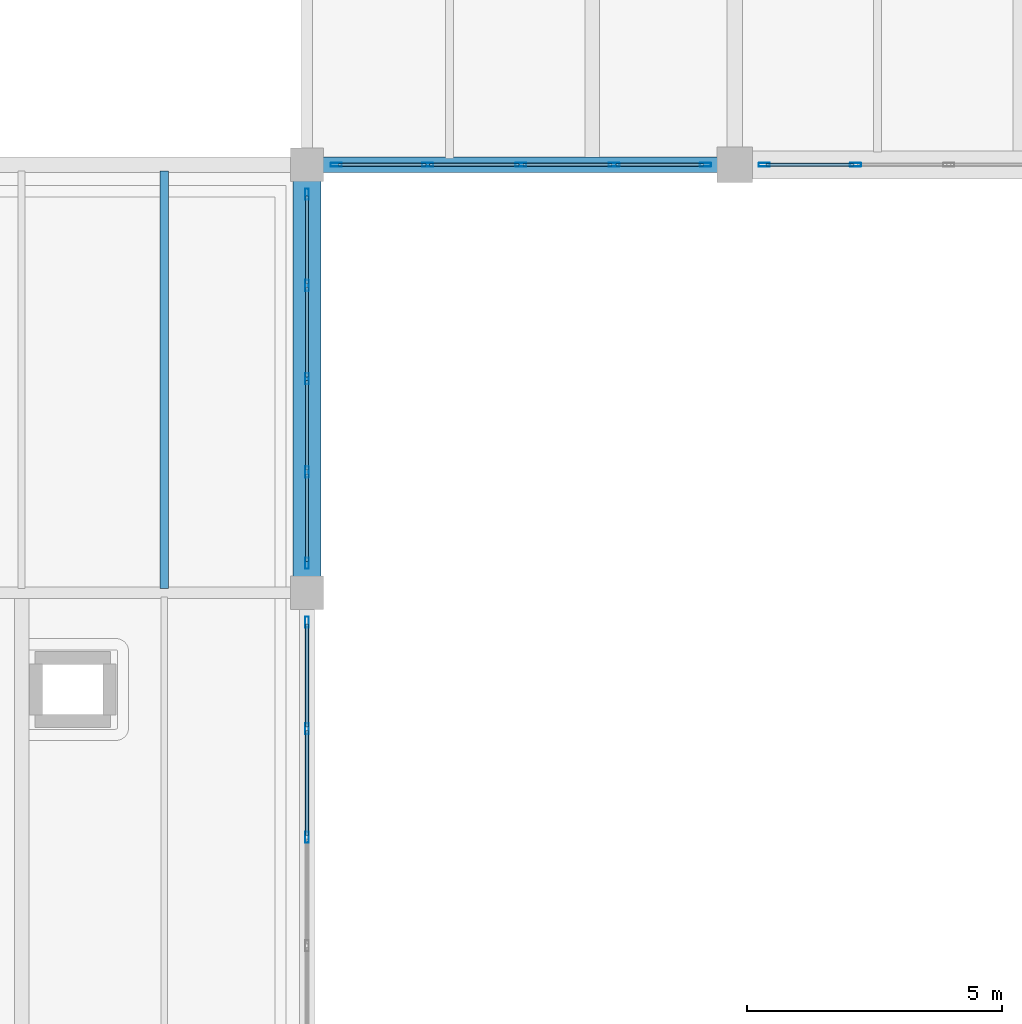
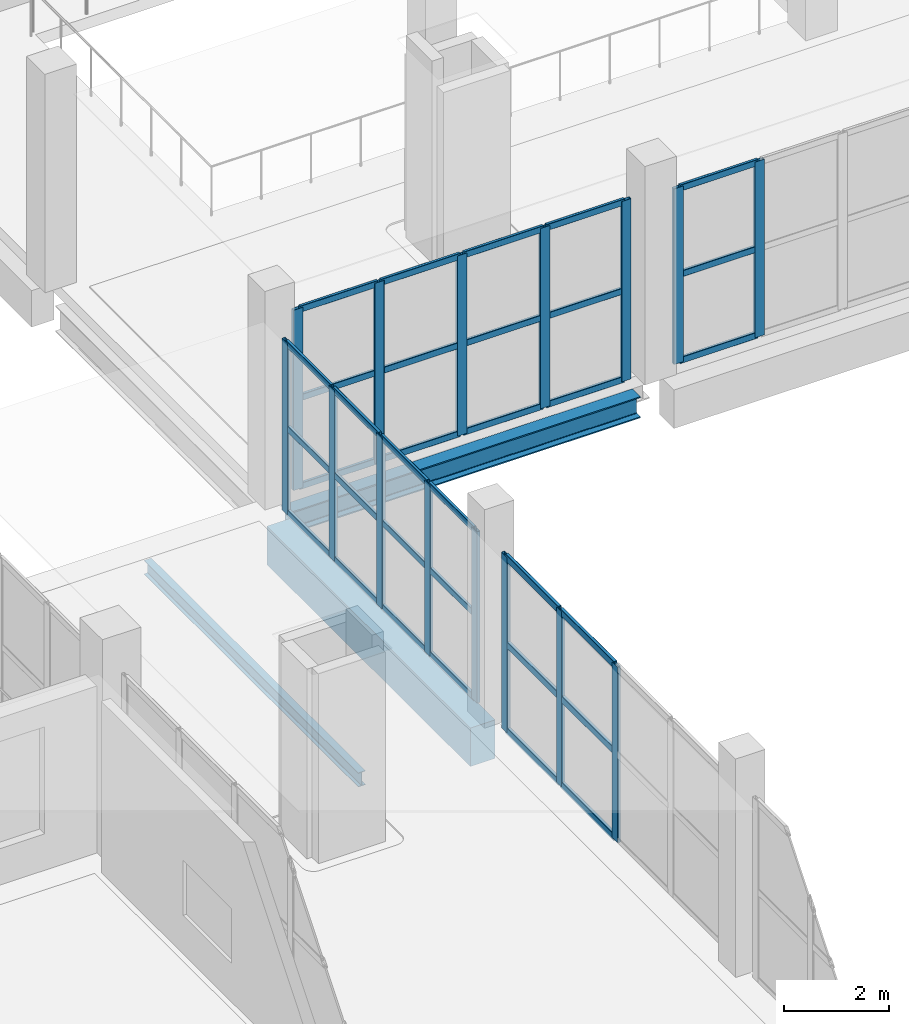
# One storey, part 27 of 73: 48 members, 3 beams, 4 elements without a shape of their own.
"""IFC4 building model written with IfcOpenShell, lengths in metres."""

from ifc_helpers import new_model, si_unit, direction, frame, origin, origin_2d, place, context, subcontext, project, spatial, rectangle, hollow_rectangle, i_section, extrude, material, layer, layer_set, material_profile, profile_set, type_object, element, aggregate, save


model = new_model("IFC4")

# Units and contexts
model_context = context("Model", 3, precision=1e-05, world=origin(), true_north=direction((0.0, 1.0)))
body_context = subcontext(model_context, "Body", "Model", "MODEL_VIEW")
ifc_project = project(units=[si_unit("LENGTHUNIT", "METRE"), si_unit("AREAUNIT", "SQUARE_METRE"), si_unit("VOLUMEUNIT", "CUBIC_METRE"), si_unit("PLANEANGLEUNIT", "RADIAN"), si_unit("MASSUNIT", "GRAM", prefix="KILO")], contexts=[model_context])

# Site, building, storey
site_placement = place(None, origin())
site = spatial("IfcSite", under=ifc_project, at=site_placement, CompositionType="ELEMENT")
building_placement = place(site_placement, origin())
building = spatial("IfcBuilding", under=site, at=building_placement, Name="Zulmaris Art Gallery", CompositionType="ELEMENT")
storey_placement = place(building_placement, frame((0.0, 0.0, 10.5)))
storey = spatial("IfcBuildingStorey", under=building, at=storey_placement, Name="L02", CompositionType="ELEMENT", Elevation=10.5)

# Beams
ifc_material_1 = material(Name="Steel S355J2", Category="steel")
ifc_material_profile_1 = material_profile(ifc_material_1, i_section(OverallWidth=0.300048828125, OverallDepth=0.5, WebThickness=0.014404296875, FlangeThickness=0.028076171875, FilletRadius=0.027099609375, at=origin_2d()), Name="HEB 500")
ifc_profile_set_1 = profile_set([ifc_material_profile_1], Name="Steel S355J2")
beam_type_1 = type_object("IfcBeamType", Name="BEAM-BM14", PredefinedType="BEAM", material=ifc_profile_set_1)
beam_1_placement = place(storey_placement, frame((91.510009765625, 58.800048828125, -0.64501953125), z_axis=(1.0, 0.0, 0.0), x_axis=(0.0, 1.0, 0.0)))
element("IfcBeam", 1, at=beam_1_placement, inside=storey, type_object=beam_type_1, Name="L02 X-girder (91.2..99.6, y=58.8)", PredefinedType="BEAM", context=body_context, shape_type="SweptSolid", body=[
    extrude(i_section(OverallWidth=0.300048828125, OverallDepth=0.5, WebThickness=0.014404296875, FlangeThickness=0.028076171875, FilletRadius=0.027099609375, at=origin_2d()), origin(), (0.0, 0.0, 1.0), 7.7548828125),
])
ifc_material_2 = material(Name="Concrete C40/50", Category="concrete")
ifc_material_profile_2 = material_profile(ifc_material_2, rectangle(XDim=0.550048828125, YDim=0.89990234375, at=origin_2d()), Name="RC 550x900")
ifc_profile_set_2 = profile_set([ifc_material_profile_2], Name="Concrete C40/50")
beam_type_2 = type_object("IfcBeamType", Name="BEAM-BM21", PredefinedType="BEAM", material=ifc_profile_set_2)
beam_2_placement = place(storey_placement, frame((91.199951171875, 50.7099609375, -0.85009765625), z_axis=(0.0, 1.0, 0.0), x_axis=(-1.0, 0.0, 0.0)))
element("IfcBeam", 2, at=beam_2_placement, inside=storey, type_object=beam_type_2, Name="L02 Y-girder (x=91.2, 50.4..58.8)", PredefinedType="BEAM", context=body_context, shape_type="SweptSolid", body=[
    extrude(rectangle(XDim=0.550048828125, YDim=0.89990234375, at=origin_2d()), origin(), (0.0, 0.0, 1.0), 7.780029296875),
])
ifc_material_profile_3 = material_profile(ifc_material_1, i_section(OverallWidth=0.159912109375, OverallDepth=0.330078125, WebThickness=0.007568359375, FlangeThickness=0.011474609375, FilletRadius=0.01806640625, at=origin_2d()), Name="IPE 330")
ifc_profile_set_3 = profile_set([ifc_material_profile_3], Name="Steel S355J2")
beam_type_3 = type_object("IfcBeamType", Name="BEAM-JS03", PredefinedType="JOIST", material=ifc_profile_set_3)
beam_3_placement = place(storey_placement, frame((88.39990234375, 50.485107421875, -0.56494140625), z_axis=(0.0, 1.0, 0.0), x_axis=(-1.0, 0.0, 0.0)))
element("IfcBeam", 3, at=beam_3_placement, inside=storey, type_object=beam_type_3, Name="L02 secondary joist at x=88.4", PredefinedType="JOIST", context=body_context, shape_type="SweptSolid", body=[
    extrude(i_section(OverallWidth=0.159912109375, OverallDepth=0.330078125, WebThickness=0.007568359375, FlangeThickness=0.011474609375, FilletRadius=0.01806640625, at=origin_2d()), origin(), (0.0, 0.0, 1.0), 8.18994140625),
])

# Curtain wall, members
ifc_material_3 = material(Name="Cloister & Court Glazed Curtain Wall", Category="aluminium")
ifc_layer_1 = layer(ifc_material_3, 0.179931640625)
ifc_layer_set_1 = layer_set([ifc_layer_1], Name="Cloister & Court Glazed Curtain Wall")
curtain_wall_type_1 = type_object("IfcCurtainWallType", Name="CW-CW03", PredefinedType="NOTDEFINED", material=ifc_layer_set_1)
curtain_wall_1_placement = place(storey_placement, origin())
curtain_wall_1 = element("IfcCurtainWall", 4, at=curtain_wall_1_placement, inside=storey, type_object=curtain_wall_type_1, Name="L02 curtain wall 82", PredefinedType="NOTDEFINED")
ifc_material_4 = material(Name="Anodised Bronze Aluminium", Category="aluminium")
ifc_material_profile_4 = material_profile(ifc_material_4, hollow_rectangle(XDim=0.074951171875, YDim=0.219970703125, WallThickness=0.0048828125, InnerFilletRadius=0.007568359375, OuterFilletRadius=0.012451171875, at=origin_2d()), Name="ALU 75x220x5")
ifc_profile_set_4 = profile_set([ifc_material_profile_4], Name="Anodised Bronze Aluminium")
member_type_1 = type_object("IfcMemberType", Name="CWMUL-02", PredefinedType="MULLION", material=ifc_profile_set_4)
member_1_placement = place(storey_placement, frame((91.199951171875, 49.822509765625, 0.0), z_axis=(0.0, 0.0, 1.0), x_axis=(1.0, 0.0, 0.0)))
member_1 = element("IfcMember", 5, at=member_1_placement, type_object=member_type_1, Name="CW03 mullion 1", PredefinedType="MULLION", context=body_context, shape_type="SweptSolid", body=[
    extrude(hollow_rectangle(XDim=0.074951171875, YDim=0.219970703125, WallThickness=0.0048828125, InnerFilletRadius=0.007568359375, OuterFilletRadius=0.012451171875, at=origin_2d()), origin(), (0.0, 0.0, 1.0), 4.10009765625),
])
member_2_placement = place(storey_placement, frame((91.199951171875, 47.72998046875, 0.0), z_axis=(0.0, 0.0, 1.0), x_axis=(1.0, 0.0, 0.0)))
member_2 = element("IfcMember", 6, at=member_2_placement, type_object=member_type_1, Name="CW03 mullion 2", PredefinedType="MULLION", context=body_context, shape_type="SweptSolid", body=[
    extrude(hollow_rectangle(XDim=0.074951171875, YDim=0.219970703125, WallThickness=0.0048828125, InnerFilletRadius=0.007568359375, OuterFilletRadius=0.012451171875, at=origin_2d()), origin(), (0.0, 0.0, 1.0), 4.10009765625),
])
member_3_placement = place(storey_placement, frame((91.199951171875, 45.60009765625, 0.0), z_axis=(0.0, 0.0, 1.0), x_axis=(1.0, 0.0, 0.0)))
member_3 = element("IfcMember", 7, at=member_3_placement, type_object=member_type_1, Name="CW03 mullion 3", PredefinedType="MULLION", context=body_context, shape_type="SweptSolid", body=[
    extrude(hollow_rectangle(XDim=0.074951171875, YDim=0.219970703125, WallThickness=0.0048828125, InnerFilletRadius=0.007568359375, OuterFilletRadius=0.012451171875, at=origin_2d()), origin(), (0.0, 0.0, 1.0), 4.10009765625),
])

curtain_wall_2_placement = place(storey_placement, origin())
curtain_wall_2 = element("IfcCurtainWall", 8, at=curtain_wall_2_placement, inside=storey, type_object=curtain_wall_type_1, Name="L02 curtain wall 84", PredefinedType="NOTDEFINED")
member_4_placement = place(storey_placement, frame((91.199951171875, 58.222412109375, 0.0), z_axis=(0.0, 0.0, 1.0), x_axis=(1.0, 0.0, 0.0)))
member_4 = element("IfcMember", 9, at=member_4_placement, type_object=member_type_1, Name="CW03 mullion 1", PredefinedType="MULLION", context=body_context, shape_type="SweptSolid", body=[
    extrude(hollow_rectangle(XDim=0.074951171875, YDim=0.219970703125, WallThickness=0.0048828125, InnerFilletRadius=0.007568359375, OuterFilletRadius=0.012451171875, at=origin_2d()), origin(), (0.0, 0.0, 1.0), 4.0),
])
member_5_placement = place(storey_placement, frame((91.199951171875, 56.429931640625, 0.0), z_axis=(0.0, 0.0, 1.0), x_axis=(1.0, 0.0, 0.0)))
member_5 = element("IfcMember", 10, at=member_5_placement, type_object=member_type_1, Name="CW03 mullion 2", PredefinedType="MULLION", context=body_context, shape_type="SweptSolid", body=[
    extrude(hollow_rectangle(XDim=0.074951171875, YDim=0.219970703125, WallThickness=0.0048828125, InnerFilletRadius=0.007568359375, OuterFilletRadius=0.012451171875, at=origin_2d()), origin(), (0.0, 0.0, 1.0), 4.0),
])
member_6_placement = place(storey_placement, frame((91.199951171875, 54.60009765625, 0.0), z_axis=(0.0, 0.0, 1.0), x_axis=(1.0, 0.0, 0.0)))
member_6 = element("IfcMember", 11, at=member_6_placement, type_object=member_type_1, Name="CW03 mullion 3", PredefinedType="MULLION", context=body_context, shape_type="SweptSolid", body=[
    extrude(hollow_rectangle(XDim=0.074951171875, YDim=0.219970703125, WallThickness=0.0048828125, InnerFilletRadius=0.007568359375, OuterFilletRadius=0.012451171875, at=origin_2d()), origin(), (0.0, 0.0, 1.0), 4.0),
])
member_7_placement = place(storey_placement, frame((91.199951171875, 52.77001953125, 0.0), z_axis=(0.0, 0.0, 1.0), x_axis=(1.0, 0.0, 0.0)))
member_7 = element("IfcMember", 12, at=member_7_placement, type_object=member_type_1, Name="CW03 mullion 4", PredefinedType="MULLION", context=body_context, shape_type="SweptSolid", body=[
    extrude(hollow_rectangle(XDim=0.074951171875, YDim=0.219970703125, WallThickness=0.0048828125, InnerFilletRadius=0.007568359375, OuterFilletRadius=0.012451171875, at=origin_2d()), origin(), (0.0, 0.0, 1.0), 4.0),
])
member_8_placement = place(storey_placement, frame((91.199951171875, 50.9775390625, 0.0), z_axis=(0.0, 0.0, 1.0), x_axis=(1.0, 0.0, 0.0)))
member_8 = element("IfcMember", 13, at=member_8_placement, type_object=member_type_1, Name="CW03 mullion 5", PredefinedType="MULLION", context=body_context, shape_type="SweptSolid", body=[
    extrude(hollow_rectangle(XDim=0.074951171875, YDim=0.219970703125, WallThickness=0.0048828125, InnerFilletRadius=0.007568359375, OuterFilletRadius=0.012451171875, at=origin_2d()), origin(), (0.0, 0.0, 1.0), 4.0),
])

ifc_material_5 = material(Name="Unitised Low-E Gallery Curtain Wall", Category="aluminium")
ifc_layer_2 = layer(ifc_material_5, 0.179931640625)
ifc_layer_set_2 = layer_set([ifc_layer_2], Name="Unitised Low-E Gallery Curtain Wall")
curtain_wall_type_2 = type_object("IfcCurtainWallType", Name="CW-CW01", PredefinedType="NOTDEFINED", material=ifc_layer_set_2)
curtain_wall_3_placement = place(storey_placement, origin())
curtain_wall_3 = element("IfcCurtainWall", 14, at=curtain_wall_3_placement, inside=storey, type_object=curtain_wall_type_2, Name="L02 curtain wall 104", PredefinedType="NOTDEFINED")
member_9_placement = place(storey_placement, frame((91.777587890625, 58.800048828125, 0.0), z_axis=(0.0, 0.0, 1.0), x_axis=(0.0, 1.0, 0.0)))
member_9 = element("IfcMember", 15, at=member_9_placement, type_object=member_type_1, Name="CW01 mullion 1", PredefinedType="MULLION", context=body_context, shape_type="SweptSolid", body=[
    extrude(hollow_rectangle(XDim=0.074951171875, YDim=0.219970703125, WallThickness=0.0048828125, InnerFilletRadius=0.007568359375, OuterFilletRadius=0.012451171875, at=origin_2d()), origin(), (0.0, 0.0, 1.0), 4.2099609375),
])
member_10_placement = place(storey_placement, frame((93.570068359375, 58.800048828125, 0.0), z_axis=(0.0, 0.0, 1.0), x_axis=(0.0, 1.0, 0.0)))
member_10 = element("IfcMember", 16, at=member_10_placement, type_object=member_type_1, Name="CW01 mullion 2", PredefinedType="MULLION", context=body_context, shape_type="SweptSolid", body=[
    extrude(hollow_rectangle(XDim=0.074951171875, YDim=0.219970703125, WallThickness=0.0048828125, InnerFilletRadius=0.007568359375, OuterFilletRadius=0.012451171875, at=origin_2d()), origin(), (0.0, 0.0, 1.0), 4.2099609375),
])
member_11_placement = place(storey_placement, frame((95.39990234375, 58.800048828125, 0.0), z_axis=(0.0, 0.0, 1.0), x_axis=(0.0, 1.0, 0.0)))
member_11 = element("IfcMember", 17, at=member_11_placement, type_object=member_type_1, Name="CW01 mullion 3", PredefinedType="MULLION", context=body_context, shape_type="SweptSolid", body=[
    extrude(hollow_rectangle(XDim=0.074951171875, YDim=0.219970703125, WallThickness=0.0048828125, InnerFilletRadius=0.007568359375, OuterFilletRadius=0.012451171875, at=origin_2d()), origin(), (0.0, 0.0, 1.0), 4.2099609375),
])
member_12_placement = place(storey_placement, frame((97.22998046875, 58.800048828125, 0.0), z_axis=(0.0, 0.0, 1.0), x_axis=(0.0, 1.0, 0.0)))
member_12 = element("IfcMember", 18, at=member_12_placement, type_object=member_type_1, Name="CW01 mullion 4", PredefinedType="MULLION", context=body_context, shape_type="SweptSolid", body=[
    extrude(hollow_rectangle(XDim=0.074951171875, YDim=0.219970703125, WallThickness=0.0048828125, InnerFilletRadius=0.007568359375, OuterFilletRadius=0.012451171875, at=origin_2d()), origin(), (0.0, 0.0, 1.0), 4.2099609375),
])
member_13_placement = place(storey_placement, frame((99.0224609375, 58.800048828125, 0.0), z_axis=(0.0, 0.0, 1.0), x_axis=(0.0, 1.0, 0.0)))
member_13 = element("IfcMember", 19, at=member_13_placement, type_object=member_type_1, Name="CW01 mullion 5", PredefinedType="MULLION", context=body_context, shape_type="SweptSolid", body=[
    extrude(hollow_rectangle(XDim=0.074951171875, YDim=0.219970703125, WallThickness=0.0048828125, InnerFilletRadius=0.007568359375, OuterFilletRadius=0.012451171875, at=origin_2d()), origin(), (0.0, 0.0, 1.0), 4.2099609375),
])

curtain_wall_4_placement = place(storey_placement, origin())
curtain_wall_4 = element("IfcCurtainWall", 20, at=curtain_wall_4_placement, inside=storey, type_object=curtain_wall_type_2, Name="L02 curtain wall 105", PredefinedType="NOTDEFINED")
member_14_placement = place(storey_placement, frame((100.177490234375, 58.800048828125, 0.0), z_axis=(0.0, 0.0, 1.0), x_axis=(0.0, 1.0, 0.0)))
member_14 = element("IfcMember", 21, at=member_14_placement, type_object=member_type_1, Name="CW01 mullion 1", PredefinedType="MULLION", context=body_context, shape_type="SweptSolid", body=[
    extrude(hollow_rectangle(XDim=0.074951171875, YDim=0.219970703125, WallThickness=0.0048828125, InnerFilletRadius=0.007568359375, OuterFilletRadius=0.012451171875, at=origin_2d()), origin(), (0.0, 0.0, 1.0), 4.10009765625),
])
member_15_placement = place(storey_placement, frame((101.969970703125, 58.800048828125, 0.0), z_axis=(0.0, 0.0, 1.0), x_axis=(0.0, 1.0, 0.0)))
member_15 = element("IfcMember", 22, at=member_15_placement, type_object=member_type_1, Name="CW01 mullion 2", PredefinedType="MULLION", context=body_context, shape_type="SweptSolid", body=[
    extrude(hollow_rectangle(XDim=0.074951171875, YDim=0.219970703125, WallThickness=0.0048828125, InnerFilletRadius=0.007568359375, OuterFilletRadius=0.012451171875, at=origin_2d()), origin(), (0.0, 0.0, 1.0), 4.10009765625),
])

# Member
ifc_material_profile_5 = material_profile(ifc_material_4, hollow_rectangle(XDim=0.06494140625, YDim=0.14990234375, WallThickness=0.00390625, InnerFilletRadius=0.006103515625, OuterFilletRadius=0.010009765625, at=origin_2d()), Name="ALU 65x150x4")
ifc_profile_set_5 = profile_set([ifc_material_profile_5], Name="Anodised Bronze Aluminium")
member_type_2 = type_object("IfcMemberType", Name="CWTRN-01", PredefinedType="USERDEFINED", material=ifc_profile_set_5)
member_16_placement = place(storey_placement, frame((91.199951171875, 58.18505859375, 0.03759765625), z_axis=(0.0, -1.0, 0.0), x_axis=(1.0, 0.0, 0.0)))
member_16 = element("IfcMember", 23, at=member_16_placement, type_object=member_type_2, Name="CW03 transom 1.1", ObjectType="TRANSOM", PredefinedType="USERDEFINED", context=body_context, shape_type="SweptSolid", body=[
    extrude(hollow_rectangle(XDim=0.06494140625, YDim=0.14990234375, WallThickness=0.00390625, InnerFilletRadius=0.006103515625, OuterFilletRadius=0.010009765625, at=origin_2d()), origin(), (0.0, 0.0, 1.0), 1.717529296875),
])

member_17_placement = place(storey_placement, frame((91.199951171875, 58.18505859375, 2.0), z_axis=(0.0, -1.0, 0.0), x_axis=(1.0, 0.0, 0.0)))
member_17 = element("IfcMember", 24, at=member_17_placement, type_object=member_type_2, Name="CW03 transom 1.2", ObjectType="TRANSOM", PredefinedType="USERDEFINED", context=body_context, shape_type="SweptSolid", body=[
    extrude(hollow_rectangle(XDim=0.06494140625, YDim=0.14990234375, WallThickness=0.00390625, InnerFilletRadius=0.006103515625, OuterFilletRadius=0.010009765625, at=origin_2d()), origin(), (0.0, 0.0, 1.0), 1.717529296875),
])

member_18_placement = place(storey_placement, frame((91.199951171875, 58.18505859375, 3.96240234375), z_axis=(0.0, -1.0, 0.0), x_axis=(1.0, 0.0, 0.0)))
member_18 = element("IfcMember", 25, at=member_18_placement, type_object=member_type_2, Name="CW03 transom 1.3", ObjectType="TRANSOM", PredefinedType="USERDEFINED", context=body_context, shape_type="SweptSolid", body=[
    extrude(hollow_rectangle(XDim=0.06494140625, YDim=0.14990234375, WallThickness=0.00390625, InnerFilletRadius=0.006103515625, OuterFilletRadius=0.010009765625, at=origin_2d()), origin(), (0.0, 0.0, 1.0), 1.717529296875),
])

member_19_placement = place(storey_placement, frame((91.199951171875, 56.392578125, 0.03759765625), z_axis=(0.0, -1.0, 0.0), x_axis=(1.0, 0.0, 0.0)))
member_19 = element("IfcMember", 26, at=member_19_placement, type_object=member_type_2, Name="CW03 transom 2.1", ObjectType="TRANSOM", PredefinedType="USERDEFINED", context=body_context, shape_type="SweptSolid", body=[
    extrude(hollow_rectangle(XDim=0.06494140625, YDim=0.14990234375, WallThickness=0.00390625, InnerFilletRadius=0.006103515625, OuterFilletRadius=0.010009765625, at=origin_2d()), origin(), (0.0, 0.0, 1.0), 1.755126953125),
])

member_20_placement = place(storey_placement, frame((91.199951171875, 56.392578125, 2.0), z_axis=(0.0, -1.0, 0.0), x_axis=(1.0, 0.0, 0.0)))
member_20 = element("IfcMember", 27, at=member_20_placement, type_object=member_type_2, Name="CW03 transom 2.2", ObjectType="TRANSOM", PredefinedType="USERDEFINED", context=body_context, shape_type="SweptSolid", body=[
    extrude(hollow_rectangle(XDim=0.06494140625, YDim=0.14990234375, WallThickness=0.00390625, InnerFilletRadius=0.006103515625, OuterFilletRadius=0.010009765625, at=origin_2d()), origin(), (0.0, 0.0, 1.0), 1.755126953125),
])

member_21_placement = place(storey_placement, frame((91.199951171875, 56.392578125, 3.96240234375), z_axis=(0.0, -1.0, 0.0), x_axis=(1.0, 0.0, 0.0)))
member_21 = element("IfcMember", 28, at=member_21_placement, type_object=member_type_2, Name="CW03 transom 2.3", ObjectType="TRANSOM", PredefinedType="USERDEFINED", context=body_context, shape_type="SweptSolid", body=[
    extrude(hollow_rectangle(XDim=0.06494140625, YDim=0.14990234375, WallThickness=0.00390625, InnerFilletRadius=0.006103515625, OuterFilletRadius=0.010009765625, at=origin_2d()), origin(), (0.0, 0.0, 1.0), 1.755126953125),
])

member_22_placement = place(storey_placement, frame((91.199951171875, 54.5625, 0.03759765625), z_axis=(0.0, -1.0, 0.0), x_axis=(1.0, 0.0, 0.0)))
member_22 = element("IfcMember", 29, at=member_22_placement, type_object=member_type_2, Name="CW03 transom 3.1", ObjectType="TRANSOM", PredefinedType="USERDEFINED", context=body_context, shape_type="SweptSolid", body=[
    extrude(hollow_rectangle(XDim=0.06494140625, YDim=0.14990234375, WallThickness=0.00390625, InnerFilletRadius=0.006103515625, OuterFilletRadius=0.010009765625, at=origin_2d()), origin(), (0.0, 0.0, 1.0), 1.7548828125),
])

member_23_placement = place(storey_placement, frame((91.199951171875, 54.5625, 2.0), z_axis=(0.0, -1.0, 0.0), x_axis=(1.0, 0.0, 0.0)))
member_23 = element("IfcMember", 30, at=member_23_placement, type_object=member_type_2, Name="CW03 transom 3.2", ObjectType="TRANSOM", PredefinedType="USERDEFINED", context=body_context, shape_type="SweptSolid", body=[
    extrude(hollow_rectangle(XDim=0.06494140625, YDim=0.14990234375, WallThickness=0.00390625, InnerFilletRadius=0.006103515625, OuterFilletRadius=0.010009765625, at=origin_2d()), origin(), (0.0, 0.0, 1.0), 1.7548828125),
])

member_24_placement = place(storey_placement, frame((91.199951171875, 54.5625, 3.96240234375), z_axis=(0.0, -1.0, 0.0), x_axis=(1.0, 0.0, 0.0)))
member_24 = element("IfcMember", 31, at=member_24_placement, type_object=member_type_2, Name="CW03 transom 3.3", ObjectType="TRANSOM", PredefinedType="USERDEFINED", context=body_context, shape_type="SweptSolid", body=[
    extrude(hollow_rectangle(XDim=0.06494140625, YDim=0.14990234375, WallThickness=0.00390625, InnerFilletRadius=0.006103515625, OuterFilletRadius=0.010009765625, at=origin_2d()), origin(), (0.0, 0.0, 1.0), 1.7548828125),
])

member_25_placement = place(storey_placement, frame((91.199951171875, 52.732421875, 0.03759765625), z_axis=(0.0, -1.0, 0.0), x_axis=(1.0, 0.0, 0.0)))
member_25 = element("IfcMember", 32, at=member_25_placement, type_object=member_type_2, Name="CW03 transom 4.1", ObjectType="TRANSOM", PredefinedType="USERDEFINED", context=body_context, shape_type="SweptSolid", body=[
    extrude(hollow_rectangle(XDim=0.06494140625, YDim=0.14990234375, WallThickness=0.00390625, InnerFilletRadius=0.006103515625, OuterFilletRadius=0.010009765625, at=origin_2d()), origin(), (0.0, 0.0, 1.0), 1.717529296875),
])

member_26_placement = place(storey_placement, frame((91.199951171875, 52.732421875, 2.0), z_axis=(0.0, -1.0, 0.0), x_axis=(1.0, 0.0, 0.0)))
member_26 = element("IfcMember", 33, at=member_26_placement, type_object=member_type_2, Name="CW03 transom 4.2", ObjectType="TRANSOM", PredefinedType="USERDEFINED", context=body_context, shape_type="SweptSolid", body=[
    extrude(hollow_rectangle(XDim=0.06494140625, YDim=0.14990234375, WallThickness=0.00390625, InnerFilletRadius=0.006103515625, OuterFilletRadius=0.010009765625, at=origin_2d()), origin(), (0.0, 0.0, 1.0), 1.717529296875),
])

member_27_placement = place(storey_placement, frame((91.199951171875, 52.732421875, 3.96240234375), z_axis=(0.0, -1.0, 0.0), x_axis=(1.0, 0.0, 0.0)))
member_27 = element("IfcMember", 34, at=member_27_placement, type_object=member_type_2, Name="CW03 transom 4.3", ObjectType="TRANSOM", PredefinedType="USERDEFINED", context=body_context, shape_type="SweptSolid", body=[
    extrude(hollow_rectangle(XDim=0.06494140625, YDim=0.14990234375, WallThickness=0.00390625, InnerFilletRadius=0.006103515625, OuterFilletRadius=0.010009765625, at=origin_2d()), origin(), (0.0, 0.0, 1.0), 1.717529296875),
])

aggregate(curtain_wall_2, [member_4, member_5, member_6, member_7, member_8, member_16, member_17, member_18, member_19, member_20, member_21, member_22, member_23, member_24, member_25, member_26, member_27])

member_28_placement = place(storey_placement, frame((91.81494140625, 58.800048828125, 0.03759765625), z_axis=(1.0, 0.0, 0.0), x_axis=(0.0, 1.0, 0.0)))
member_28 = element("IfcMember", 35, at=member_28_placement, type_object=member_type_2, Name="CW01 transom 1.1", ObjectType="TRANSOM", PredefinedType="USERDEFINED", context=body_context, shape_type="SweptSolid", body=[
    extrude(hollow_rectangle(XDim=0.06494140625, YDim=0.14990234375, WallThickness=0.00390625, InnerFilletRadius=0.006103515625, OuterFilletRadius=0.010009765625, at=origin_2d()), origin(), (0.0, 0.0, 1.0), 1.717529296875),
])

member_29_placement = place(storey_placement, frame((91.81494140625, 58.800048828125, 2.10498046875), z_axis=(1.0, 0.0, 0.0), x_axis=(0.0, 1.0, 0.0)))
member_29 = element("IfcMember", 36, at=member_29_placement, type_object=member_type_2, Name="CW01 transom 1.2", ObjectType="TRANSOM", PredefinedType="USERDEFINED", context=body_context, shape_type="SweptSolid", body=[
    extrude(hollow_rectangle(XDim=0.06494140625, YDim=0.14990234375, WallThickness=0.00390625, InnerFilletRadius=0.006103515625, OuterFilletRadius=0.010009765625, at=origin_2d()), origin(), (0.0, 0.0, 1.0), 1.717529296875),
])

member_30_placement = place(storey_placement, frame((91.81494140625, 58.800048828125, 4.172607421875), z_axis=(1.0, 0.0, 0.0), x_axis=(0.0, 1.0, 0.0)))
member_30 = element("IfcMember", 37, at=member_30_placement, type_object=member_type_2, Name="CW01 transom 1.3", ObjectType="TRANSOM", PredefinedType="USERDEFINED", context=body_context, shape_type="SweptSolid", body=[
    extrude(hollow_rectangle(XDim=0.06494140625, YDim=0.14990234375, WallThickness=0.00390625, InnerFilletRadius=0.006103515625, OuterFilletRadius=0.010009765625, at=origin_2d()), origin(), (0.0, 0.0, 1.0), 1.717529296875),
])

member_31_placement = place(storey_placement, frame((93.607421875, 58.800048828125, 0.03759765625), z_axis=(1.0, 0.0, 0.0), x_axis=(0.0, 1.0, 0.0)))
member_31 = element("IfcMember", 38, at=member_31_placement, type_object=member_type_2, Name="CW01 transom 2.1", ObjectType="TRANSOM", PredefinedType="USERDEFINED", context=body_context, shape_type="SweptSolid", body=[
    extrude(hollow_rectangle(XDim=0.06494140625, YDim=0.14990234375, WallThickness=0.00390625, InnerFilletRadius=0.006103515625, OuterFilletRadius=0.010009765625, at=origin_2d()), origin(), (0.0, 0.0, 1.0), 1.755126953125),
])

member_32_placement = place(storey_placement, frame((93.607421875, 58.800048828125, 2.10498046875), z_axis=(1.0, 0.0, 0.0), x_axis=(0.0, 1.0, 0.0)))
member_32 = element("IfcMember", 39, at=member_32_placement, type_object=member_type_2, Name="CW01 transom 2.2", ObjectType="TRANSOM", PredefinedType="USERDEFINED", context=body_context, shape_type="SweptSolid", body=[
    extrude(hollow_rectangle(XDim=0.06494140625, YDim=0.14990234375, WallThickness=0.00390625, InnerFilletRadius=0.006103515625, OuterFilletRadius=0.010009765625, at=origin_2d()), origin(), (0.0, 0.0, 1.0), 1.755126953125),
])

member_33_placement = place(storey_placement, frame((93.607421875, 58.800048828125, 4.172607421875), z_axis=(1.0, 0.0, 0.0), x_axis=(0.0, 1.0, 0.0)))
member_33 = element("IfcMember", 40, at=member_33_placement, type_object=member_type_2, Name="CW01 transom 2.3", ObjectType="TRANSOM", PredefinedType="USERDEFINED", context=body_context, shape_type="SweptSolid", body=[
    extrude(hollow_rectangle(XDim=0.06494140625, YDim=0.14990234375, WallThickness=0.00390625, InnerFilletRadius=0.006103515625, OuterFilletRadius=0.010009765625, at=origin_2d()), origin(), (0.0, 0.0, 1.0), 1.755126953125),
])

member_34_placement = place(storey_placement, frame((95.4375, 58.800048828125, 0.03759765625), z_axis=(1.0, 0.0, 0.0), x_axis=(0.0, 1.0, 0.0)))
member_34 = element("IfcMember", 41, at=member_34_placement, type_object=member_type_2, Name="CW01 transom 3.1", ObjectType="TRANSOM", PredefinedType="USERDEFINED", context=body_context, shape_type="SweptSolid", body=[
    extrude(hollow_rectangle(XDim=0.06494140625, YDim=0.14990234375, WallThickness=0.00390625, InnerFilletRadius=0.006103515625, OuterFilletRadius=0.010009765625, at=origin_2d()), origin(), (0.0, 0.0, 1.0), 1.7548828125),
])

member_35_placement = place(storey_placement, frame((95.4375, 58.800048828125, 2.10498046875), z_axis=(1.0, 0.0, 0.0), x_axis=(0.0, 1.0, 0.0)))
member_35 = element("IfcMember", 42, at=member_35_placement, type_object=member_type_2, Name="CW01 transom 3.2", ObjectType="TRANSOM", PredefinedType="USERDEFINED", context=body_context, shape_type="SweptSolid", body=[
    extrude(hollow_rectangle(XDim=0.06494140625, YDim=0.14990234375, WallThickness=0.00390625, InnerFilletRadius=0.006103515625, OuterFilletRadius=0.010009765625, at=origin_2d()), origin(), (0.0, 0.0, 1.0), 1.7548828125),
])

member_36_placement = place(storey_placement, frame((95.4375, 58.800048828125, 4.172607421875), z_axis=(1.0, 0.0, 0.0), x_axis=(0.0, 1.0, 0.0)))
member_36 = element("IfcMember", 43, at=member_36_placement, type_object=member_type_2, Name="CW01 transom 3.3", ObjectType="TRANSOM", PredefinedType="USERDEFINED", context=body_context, shape_type="SweptSolid", body=[
    extrude(hollow_rectangle(XDim=0.06494140625, YDim=0.14990234375, WallThickness=0.00390625, InnerFilletRadius=0.006103515625, OuterFilletRadius=0.010009765625, at=origin_2d()), origin(), (0.0, 0.0, 1.0), 1.7548828125),
])

member_37_placement = place(storey_placement, frame((97.267578125, 58.800048828125, 0.03759765625), z_axis=(1.0, 0.0, 0.0), x_axis=(0.0, 1.0, 0.0)))
member_37 = element("IfcMember", 44, at=member_37_placement, type_object=member_type_2, Name="CW01 transom 4.1", ObjectType="TRANSOM", PredefinedType="USERDEFINED", context=body_context, shape_type="SweptSolid", body=[
    extrude(hollow_rectangle(XDim=0.06494140625, YDim=0.14990234375, WallThickness=0.00390625, InnerFilletRadius=0.006103515625, OuterFilletRadius=0.010009765625, at=origin_2d()), origin(), (0.0, 0.0, 1.0), 1.717529296875),
])

member_38_placement = place(storey_placement, frame((97.267578125, 58.800048828125, 2.10498046875), z_axis=(1.0, 0.0, 0.0), x_axis=(0.0, 1.0, 0.0)))
member_38 = element("IfcMember", 45, at=member_38_placement, type_object=member_type_2, Name="CW01 transom 4.2", ObjectType="TRANSOM", PredefinedType="USERDEFINED", context=body_context, shape_type="SweptSolid", body=[
    extrude(hollow_rectangle(XDim=0.06494140625, YDim=0.14990234375, WallThickness=0.00390625, InnerFilletRadius=0.006103515625, OuterFilletRadius=0.010009765625, at=origin_2d()), origin(), (0.0, 0.0, 1.0), 1.717529296875),
])

member_39_placement = place(storey_placement, frame((97.267578125, 58.800048828125, 4.172607421875), z_axis=(1.0, 0.0, 0.0), x_axis=(0.0, 1.0, 0.0)))
member_39 = element("IfcMember", 46, at=member_39_placement, type_object=member_type_2, Name="CW01 transom 4.3", ObjectType="TRANSOM", PredefinedType="USERDEFINED", context=body_context, shape_type="SweptSolid", body=[
    extrude(hollow_rectangle(XDim=0.06494140625, YDim=0.14990234375, WallThickness=0.00390625, InnerFilletRadius=0.006103515625, OuterFilletRadius=0.010009765625, at=origin_2d()), origin(), (0.0, 0.0, 1.0), 1.717529296875),
])

aggregate(curtain_wall_3, [member_9, member_10, member_11, member_12, member_13, member_28, member_29, member_30, member_31, member_32, member_33, member_34, member_35, member_36, member_37, member_38, member_39])

member_40_placement = place(storey_placement, frame((100.215087890625, 58.800048828125, 0.03759765625), z_axis=(1.0, 0.0, 0.0), x_axis=(0.0, 1.0, 0.0)))
member_40 = element("IfcMember", 47, at=member_40_placement, type_object=member_type_2, Name="CW01 transom 1.1", ObjectType="TRANSOM", PredefinedType="USERDEFINED", context=body_context, shape_type="SweptSolid", body=[
    extrude(hollow_rectangle(XDim=0.06494140625, YDim=0.14990234375, WallThickness=0.00390625, InnerFilletRadius=0.006103515625, OuterFilletRadius=0.010009765625, at=origin_2d()), origin(), (0.0, 0.0, 1.0), 1.717529296875),
])

member_41_placement = place(storey_placement, frame((100.215087890625, 58.800048828125, 2.050048828125), z_axis=(1.0, 0.0, 0.0), x_axis=(0.0, 1.0, 0.0)))
member_41 = element("IfcMember", 48, at=member_41_placement, type_object=member_type_2, Name="CW01 transom 1.2", ObjectType="TRANSOM", PredefinedType="USERDEFINED", context=body_context, shape_type="SweptSolid", body=[
    extrude(hollow_rectangle(XDim=0.06494140625, YDim=0.14990234375, WallThickness=0.00390625, InnerFilletRadius=0.006103515625, OuterFilletRadius=0.010009765625, at=origin_2d()), origin(), (0.0, 0.0, 1.0), 1.717529296875),
])

member_42_placement = place(storey_placement, frame((100.215087890625, 58.800048828125, 4.0625), z_axis=(1.0, 0.0, 0.0), x_axis=(0.0, 1.0, 0.0)))
member_42 = element("IfcMember", 49, at=member_42_placement, type_object=member_type_2, Name="CW01 transom 1.3", ObjectType="TRANSOM", PredefinedType="USERDEFINED", context=body_context, shape_type="SweptSolid", body=[
    extrude(hollow_rectangle(XDim=0.06494140625, YDim=0.14990234375, WallThickness=0.00390625, InnerFilletRadius=0.006103515625, OuterFilletRadius=0.010009765625, at=origin_2d()), origin(), (0.0, 0.0, 1.0), 1.717529296875),
])

aggregate(curtain_wall_4, [member_14, member_15, member_40, member_41, member_42])

ifc_material_profile_6 = material_profile(ifc_material_4, hollow_rectangle(XDim=0.074951171875, YDim=0.159912109375, WallThickness=0.00390625, InnerFilletRadius=0.006103515625, OuterFilletRadius=0.010009765625, at=origin_2d()), Name="ALU 75x160x4")
ifc_profile_set_6 = profile_set([ifc_material_profile_6], Name="Anodised Bronze Aluminium")
member_type_3 = type_object("IfcMemberType", Name="CWTRN-02", PredefinedType="USERDEFINED", material=ifc_profile_set_6)
member_43_placement = place(storey_placement, frame((91.199951171875, 49.784912109375, 0.03759765625), z_axis=(0.0, -1.0, 0.0), x_axis=(1.0, 0.0, 0.0)))
member_43 = element("IfcMember", 50, at=member_43_placement, type_object=member_type_3, Name="CW03 transom 1.1", ObjectType="TRANSOM", PredefinedType="USERDEFINED", context=body_context, shape_type="SweptSolid", body=[
    extrude(hollow_rectangle(XDim=0.074951171875, YDim=0.159912109375, WallThickness=0.00390625, InnerFilletRadius=0.006103515625, OuterFilletRadius=0.010009765625, at=origin_2d()), origin(), (0.0, 0.0, 1.0), 2.017333984375),
])

member_44_placement = place(storey_placement, frame((91.199951171875, 49.784912109375, 2.050048828125), z_axis=(0.0, -1.0, 0.0), x_axis=(1.0, 0.0, 0.0)))
member_44 = element("IfcMember", 51, at=member_44_placement, type_object=member_type_3, Name="CW03 transom 1.2", ObjectType="TRANSOM", PredefinedType="USERDEFINED", context=body_context, shape_type="SweptSolid", body=[
    extrude(hollow_rectangle(XDim=0.074951171875, YDim=0.159912109375, WallThickness=0.00390625, InnerFilletRadius=0.006103515625, OuterFilletRadius=0.010009765625, at=origin_2d()), origin(), (0.0, 0.0, 1.0), 2.017333984375),
])

member_45_placement = place(storey_placement, frame((91.199951171875, 49.784912109375, 4.0625), z_axis=(0.0, -1.0, 0.0), x_axis=(1.0, 0.0, 0.0)))
member_45 = element("IfcMember", 52, at=member_45_placement, type_object=member_type_3, Name="CW03 transom 1.3", ObjectType="TRANSOM", PredefinedType="USERDEFINED", context=body_context, shape_type="SweptSolid", body=[
    extrude(hollow_rectangle(XDim=0.074951171875, YDim=0.159912109375, WallThickness=0.00390625, InnerFilletRadius=0.006103515625, OuterFilletRadius=0.010009765625, at=origin_2d()), origin(), (0.0, 0.0, 1.0), 2.017333984375),
])

member_46_placement = place(storey_placement, frame((91.199951171875, 47.6923828125, 0.03759765625), z_axis=(0.0, -1.0, 0.0), x_axis=(1.0, 0.0, 0.0)))
member_46 = element("IfcMember", 53, at=member_46_placement, type_object=member_type_3, Name="CW03 transom 2.1", ObjectType="TRANSOM", PredefinedType="USERDEFINED", context=body_context, shape_type="SweptSolid", body=[
    extrude(hollow_rectangle(XDim=0.074951171875, YDim=0.159912109375, WallThickness=0.00390625, InnerFilletRadius=0.006103515625, OuterFilletRadius=0.010009765625, at=origin_2d()), origin(), (0.0, 0.0, 1.0), 2.054931640625),
])

member_47_placement = place(storey_placement, frame((91.199951171875, 47.6923828125, 2.050048828125), z_axis=(0.0, -1.0, 0.0), x_axis=(1.0, 0.0, 0.0)))
member_47 = element("IfcMember", 54, at=member_47_placement, type_object=member_type_3, Name="CW03 transom 2.2", ObjectType="TRANSOM", PredefinedType="USERDEFINED", context=body_context, shape_type="SweptSolid", body=[
    extrude(hollow_rectangle(XDim=0.074951171875, YDim=0.159912109375, WallThickness=0.00390625, InnerFilletRadius=0.006103515625, OuterFilletRadius=0.010009765625, at=origin_2d()), origin(), (0.0, 0.0, 1.0), 2.054931640625),
])

member_48_placement = place(storey_placement, frame((91.199951171875, 47.6923828125, 4.0625), z_axis=(0.0, -1.0, 0.0), x_axis=(1.0, 0.0, 0.0)))
member_48 = element("IfcMember", 55, at=member_48_placement, type_object=member_type_3, Name="CW03 transom 2.3", ObjectType="TRANSOM", PredefinedType="USERDEFINED", context=body_context, shape_type="SweptSolid", body=[
    extrude(hollow_rectangle(XDim=0.074951171875, YDim=0.159912109375, WallThickness=0.00390625, InnerFilletRadius=0.006103515625, OuterFilletRadius=0.010009765625, at=origin_2d()), origin(), (0.0, 0.0, 1.0), 2.054931640625),
])

aggregate(curtain_wall_1, [member_1, member_2, member_3, member_43, member_44, member_45, member_46, member_47, member_48])

save(model, "model.ifc")
